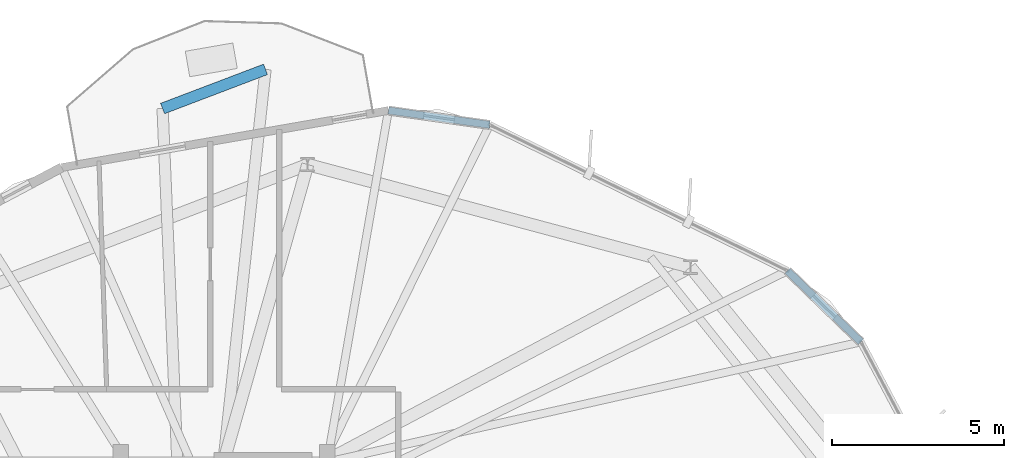
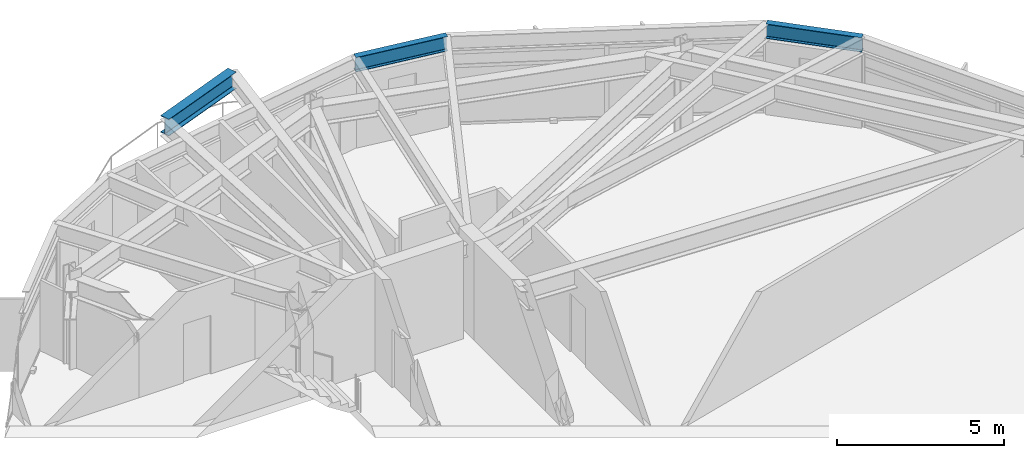
# One storey, part 20 of 28: 3 beams.
"""IFC4 building model written with IfcOpenShell, lengths in metres."""

from ifc_helpers import new_model, si_unit, direction, frame, origin, origin_2d, place, context, subcontext, project, spatial, i_section, extrude, material, material_profile, profile_set, type_object, element, save


model = new_model("IFC4")

# Units and contexts
model_context = context("Model", 3, precision=1e-05, world=origin(), true_north=direction((0.0, 1.0)))
body_context = subcontext(model_context, "Body", "Model", "MODEL_VIEW")
ifc_project = project(units=[si_unit("LENGTHUNIT", "METRE"), si_unit("AREAUNIT", "SQUARE_METRE"), si_unit("VOLUMEUNIT", "CUBIC_METRE"), si_unit("PLANEANGLEUNIT", "RADIAN"), si_unit("MASSUNIT", "GRAM", prefix="KILO")], contexts=[model_context])

# Site, building, storey
site_placement = place(None, origin())
site = spatial("IfcSite", under=ifc_project, at=site_placement, CompositionType="ELEMENT")
building_placement = place(site_placement, origin())
building = spatial("IfcBuilding", under=site, at=building_placement, Name="Soratama Intermodal Tower", CompositionType="ELEMENT")
storey_placement = place(building_placement, frame((0.0, 0.0, 201.39990234375)))
storey = spatial("IfcBuildingStorey", under=building, at=storey_placement, Name="L50", CompositionType="ELEMENT", Elevation=201.39990234375)

# Beams
ifc_material_1 = material(Name="Structural steel ASTM A992 Grade 50", Category="steel")
ifc_material_profile_1 = material_profile(ifc_material_1, i_section(OverallWidth=0.324951171875, OverallDepth=0.615966796875, WebThickness=0.013916015625, FlangeThickness=0.021484375, FilletRadius=0.013916015625, at=origin_2d()), Name="W24X117")
ifc_profile_set_1 = profile_set([ifc_material_profile_1], Name="Structural steel ASTM A992 Grade 50")
beam_type_1 = type_object("IfcBeamType", Name="BM-CANT-W24X117", PredefinedType="BEAM", material=ifc_profile_set_1)
beam_1_placement = place(storey_placement, frame((42.802001953125, 46.3369140625, 2.9921875), z_axis=(-0.934728284983, -0.35536324128, 0.0), x_axis=(0.35536324128, -0.934728284983, 0.0)))
element("IfcBeam", 1, at=beam_1_placement, inside=storey, type_object=beam_type_1, Name="BM-L50-CBHDR-2", PredefinedType="BEAM", context=body_context, shape_type="SweptSolid", body=[
    extrude(i_section(OverallWidth=0.324951171875, OverallDepth=0.615966796875, WebThickness=0.013916015625, FlangeThickness=0.021484375, FilletRadius=0.013916015625, at=origin_2d()), origin(), (0.0, 0.0, 1.0), 3.19677734375),
])
ifc_material_2 = material(Name="Structural steel ASTM A992 Grade 50", Category="steel")
ifc_material_profile_2 = material_profile(ifc_material_2, i_section(OverallWidth=0.2099609375, OverallDepth=0.537109375, WebThickness=0.010986328125, FlangeThickness=0.017333984375, FilletRadius=0.012939453125, at=origin_2d()), Name="W21X68")
ifc_profile_set_2 = profile_set([ifc_material_profile_2], Name="Structural steel ASTM A992 Grade 50")
beam_type_2 = type_object("IfcBeamType", Name="BM-SPN-W21X68", PredefinedType="SPANDREL", material=ifc_profile_set_2)
beam_2_placement = place(storey_placement, frame((49.305908203125, 44.72705078125, 3.031494140625), z_axis=(-0.990025064431, 0.14089134749, 0.0), x_axis=(-0.14089134749, -0.990025064431, 0.0)))
element("IfcBeam", 2, at=beam_2_placement, inside=storey, type_object=beam_type_2, Name="BS-L50-CRN01", PredefinedType="SPANDREL", context=body_context, shape_type="SweptSolid", body=[
    extrude(i_section(OverallWidth=0.2099609375, OverallDepth=0.537109375, WebThickness=0.010986328125, FlangeThickness=0.017333984375, FilletRadius=0.012939453125, at=origin_2d()), origin(), (0.0, 0.0, 1.0), 2.966552734375),
])
beam_3_placement = place(storey_placement, frame((60.0791015625, 38.428955078125, 3.031494140625), z_axis=(-0.718172089071, 0.695865540517, 0.0), x_axis=(-0.695865540517, -0.718172089071, 0.0)))
element("IfcBeam", 3, at=beam_3_placement, inside=storey, type_object=beam_type_2, Name="BS-L50-CRN10", PredefinedType="SPANDREL", context=body_context, shape_type="SweptSolid", body=[
    extrude(i_section(OverallWidth=0.2099609375, OverallDepth=0.537109375, WebThickness=0.010986328125, FlangeThickness=0.017333984375, FilletRadius=0.012939453125, at=origin_2d()), origin(), (0.0, 0.0, 1.0), 2.966064453125),
])

save(model, "model.ifc")
